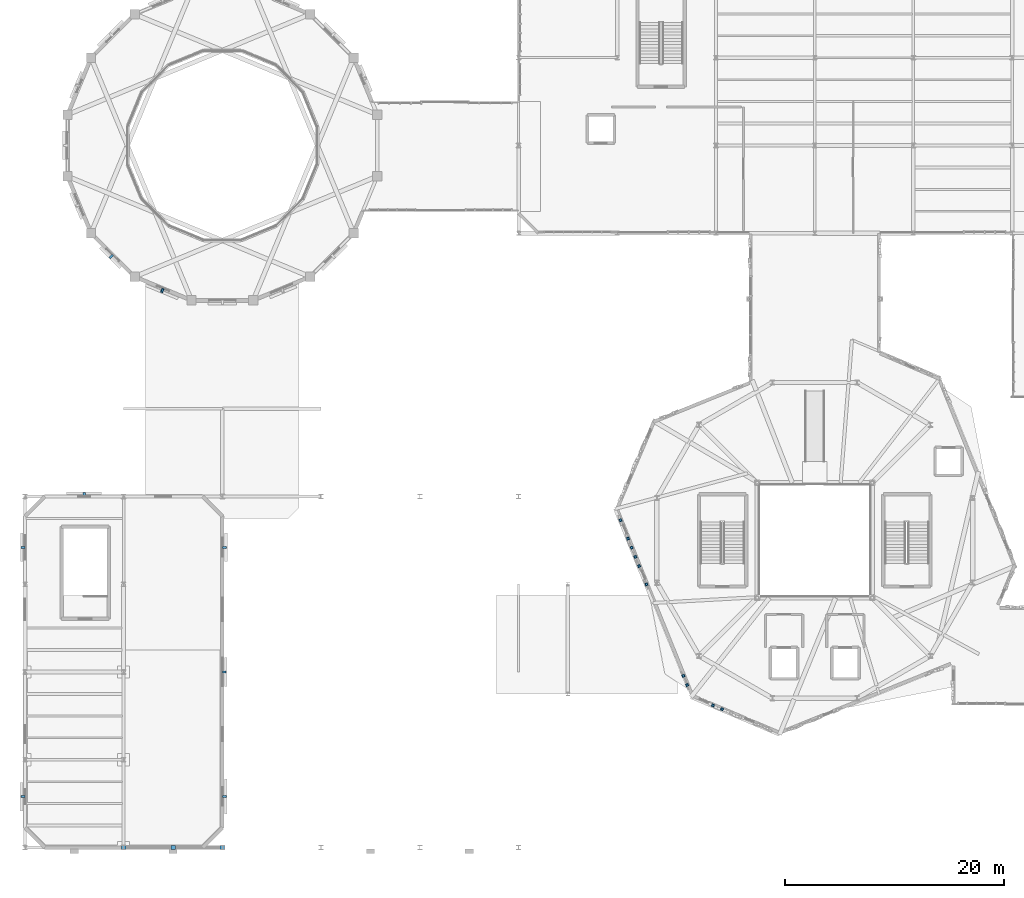
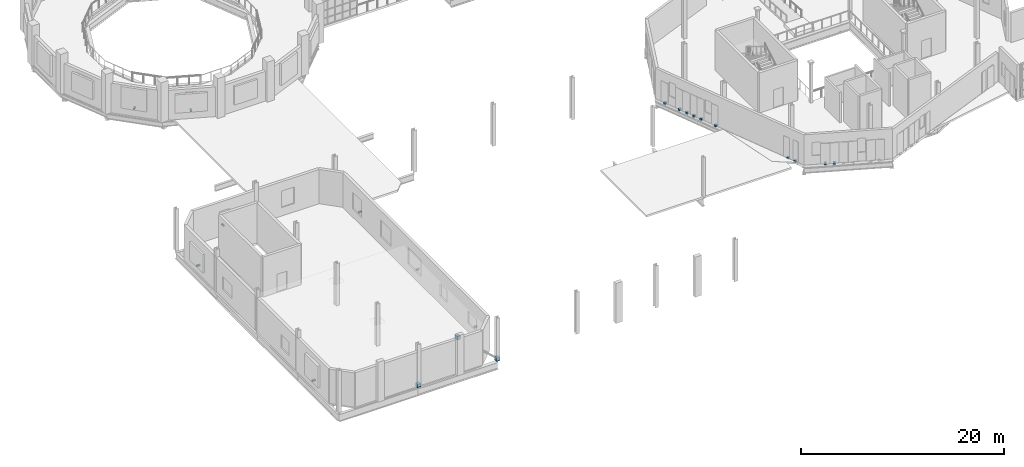
# One storey, part 105 of 122: 21 discrete accessories.
"""IFC4 building model written with IfcOpenShell, lengths in metres."""

from ifc_helpers import new_model, si_unit, direction, frame, origin, place, context, subcontext, project, spatial, polyline, outline, extrude, material, type_object, element, save


model = new_model("IFC4")

# Units and contexts
model_context = context("Model", 3, precision=1e-05, world=origin(), true_north=direction((0.0, 1.0)))
body_context = subcontext(model_context, "Body", "Model", "MODEL_VIEW")
ifc_project = project(units=[si_unit("LENGTHUNIT", "METRE"), si_unit("AREAUNIT", "SQUARE_METRE"), si_unit("VOLUMEUNIT", "CUBIC_METRE"), si_unit("PLANEANGLEUNIT", "RADIAN"), si_unit("MASSUNIT", "GRAM", prefix="KILO"), si_unit("THERMODYNAMICTEMPERATUREUNIT", "KELVIN"), si_unit("POWERUNIT", "WATT")], contexts=[model_context])

# Site, building, storey
site_placement = place(None, origin())
site = spatial("IfcSite", under=ifc_project, at=site_placement, CompositionType="ELEMENT")
building_placement = place(site_placement, origin())
building = spatial("IfcBuilding", under=site, at=building_placement, Name="Zelmaris Science Centre", CompositionType="ELEMENT")
storey_placement = place(building_placement, frame((0.0, 0.0, 10.800048828125)))
storey = spatial("IfcBuildingStorey", under=building, at=storey_placement, Name="L02", CompositionType="ELEMENT", Elevation=10.800048828125)

# Discrete accessories
ifc_material_1 = material(Name="Galvanised steel ASTM A500 Grade B", Category="steel")
discrete_accessory_type_1 = type_object("IfcDiscreteAccessoryType", Name="Facade Bracket BK-01", PredefinedType="BRACKET", material=ifc_material_1)
discrete_accessory_1_placement = place(storey_placement, frame((0.0, 0.0, -0.14013671875)))
element("IfcDiscreteAccessory", 1, at=discrete_accessory_1_placement, inside=storey, type_object=discrete_accessory_type_1, Name="L02 Facade anchorage bracket 70", PredefinedType="BRACKET", context=body_context, shape_type="SweptSolid", body=[
    extrude(outline(polyline([(72.704345703125, 20.6669921875), (72.4833984375, 20.7607421875), (72.392822265625, 20.547607421875), (72.61376953125, 20.453857421875), (72.704345703125, 20.6669921875)])), origin(), (0.0, 0.0, 1.0), 0.239990234375),
])
discrete_accessory_2_placement = place(storey_placement, frame((0.0, 0.0, -0.14013671875)))
element("IfcDiscreteAccessory", 2, at=discrete_accessory_2_placement, inside=storey, type_object=discrete_accessory_type_1, Name="L02 Facade anchorage bracket 71", PredefinedType="BRACKET", context=body_context, shape_type="SweptSolid", body=[
    extrude(outline(polyline([(71.875732421875, 21.0185546875), (71.65478515625, 21.1123046875), (71.564453125, 20.899169921875), (71.785400390625, 20.805419921875), (71.875732421875, 21.0185546875)])), origin(), (0.0, 0.0, 1.0), 0.239990234375),
])
discrete_accessory_3_placement = place(storey_placement, frame((0.0, 0.0, -0.14013671875)))
element("IfcDiscreteAccessory", 3, at=discrete_accessory_3_placement, inside=storey, type_object=discrete_accessory_type_1, Name="L02 Facade anchorage bracket 72", PredefinedType="BRACKET", context=body_context, shape_type="SweptSolid", body=[
    extrude(outline(polyline([(69.5224609375, 22.7451171875), (69.4326171875, 22.967529296875), (69.2177734375, 22.880859375), (69.3076171875, 22.658203125), (69.5224609375, 22.7451171875)])), origin(), (0.0, 0.0, 1.0), 0.239990234375),
])
discrete_accessory_4_placement = place(storey_placement, frame((0.0, 0.0, -0.14013671875)))
element("IfcDiscreteAccessory", 4, at=discrete_accessory_4_placement, inside=storey, type_object=discrete_accessory_type_1, Name="L02 Facade anchorage bracket 73", PredefinedType="BRACKET", context=body_context, shape_type="SweptSolid", body=[
    extrude(outline(polyline([(69.185302734375, 23.57958984375), (69.095458984375, 23.802001953125), (68.880615234375, 23.71533203125), (68.970703125, 23.492919921875), (69.185302734375, 23.57958984375)])), origin(), (0.0, 0.0, 1.0), 0.239990234375),
])
discrete_accessory_5_placement = place(storey_placement, frame((0.0, 0.0, -0.14013671875)))
element("IfcDiscreteAccessory", 5, at=discrete_accessory_5_placement, inside=storey, type_object=discrete_accessory_type_1, Name="L02 Facade anchorage bracket 74", PredefinedType="BRACKET", context=body_context, shape_type="SweptSolid", body=[
    extrude(outline(polyline([(65.81396484375, 31.92431640625), (65.72412109375, 32.146728515625), (65.50927734375, 32.059814453125), (65.59912109375, 31.83740234375), (65.81396484375, 31.92431640625)])), origin(), (0.0, 0.0, 1.0), 0.239990234375),
])
discrete_accessory_6_placement = place(storey_placement, frame((0.0, 0.0, -0.14013671875)))
element("IfcDiscreteAccessory", 6, at=discrete_accessory_6_placement, inside=storey, type_object=discrete_accessory_type_1, Name="L02 Facade anchorage bracket 75", PredefinedType="BRACKET", context=body_context, shape_type="SweptSolid", body=[
    extrude(outline(polyline([(65.1396484375, 33.593017578125), (65.0498046875, 33.815673828125), (64.8349609375, 33.72900390625), (64.9248046875, 33.50634765625), (65.1396484375, 33.593017578125)])), origin(), (0.0, 0.0, 1.0), 0.239990234375),
])
discrete_accessory_7_placement = place(storey_placement, frame((0.0, 0.0, -0.14013671875)))
element("IfcDiscreteAccessory", 7, at=discrete_accessory_7_placement, inside=storey, type_object=discrete_accessory_type_1, Name="L02 Facade anchorage bracket 76", PredefinedType="BRACKET", context=body_context, shape_type="SweptSolid", body=[
    extrude(outline(polyline([(64.802490234375, 34.427490234375), (64.71240234375, 34.650146484375), (64.497802734375, 34.563232421875), (64.587646484375, 34.3408203125), (64.802490234375, 34.427490234375)])), origin(), (0.0, 0.0, 1.0), 0.239990234375),
])
discrete_accessory_8_placement = place(storey_placement, frame((0.0, 0.0, -0.14013671875)))
element("IfcDiscreteAccessory", 8, at=discrete_accessory_8_placement, inside=storey, type_object=discrete_accessory_type_1, Name="L02 Facade anchorage bracket 77", PredefinedType="BRACKET", context=body_context, shape_type="SweptSolid", body=[
    extrude(outline(polyline([(64.46533203125, 35.261962890625), (64.37548828125, 35.484619140625), (64.16064453125, 35.397705078125), (64.25048828125, 35.17529296875), (64.46533203125, 35.261962890625)])), origin(), (0.0, 0.0, 1.0), 0.239990234375),
])
discrete_accessory_9_placement = place(storey_placement, frame((0.0, 0.0, -0.14013671875)))
element("IfcDiscreteAccessory", 9, at=discrete_accessory_9_placement, inside=storey, type_object=discrete_accessory_type_1, Name="L02 Facade anchorage bracket 78", PredefinedType="BRACKET", context=body_context, shape_type="SweptSolid", body=[
    extrude(outline(polyline([(64.128173828125, 36.096435546875), (64.0380859375, 36.319091796875), (63.823486328125, 36.232421875), (63.913330078125, 36.009765625), (64.128173828125, 36.096435546875)])), origin(), (0.0, 0.0, 1.0), 0.239990234375),
])
discrete_accessory_10_placement = place(storey_placement, frame((0.0, 0.0, -0.14013671875)))
element("IfcDiscreteAccessory", 10, at=discrete_accessory_10_placement, inside=storey, type_object=discrete_accessory_type_1, Name="L02 Facade anchorage bracket 79", PredefinedType="BRACKET", context=body_context, shape_type="SweptSolid", body=[
    extrude(outline(polyline([(63.453857421875, 37.765380859375), (63.364013671875, 37.988037109375), (63.149169921875, 37.901123046875), (63.239013671875, 37.6787109375), (63.453857421875, 37.765380859375)])), origin(), (0.0, 0.0, 1.0), 0.239990234375),
])
discrete_accessory_type_2 = type_object("IfcDiscreteAccessoryType", Name="Facade Bracket BK-02", PredefinedType="BRACKET", material=ifc_material_1)
discrete_accessory_11_placement = place(storey_placement, frame((0.0, 0.0, 0.919921875)))
element("IfcDiscreteAccessory", 11, at=discrete_accessory_11_placement, inside=storey, type_object=discrete_accessory_type_2, Name="L02 Louvre support bracket 26", PredefinedType="BRACKET", context=body_context, shape_type="SweptSolid", body=[
    extrude(outline(polyline([(21.68701171875, 58.9140625), (21.502197265625, 58.990478515625), (21.360595703125, 58.648681640625), (21.54541015625, 58.572265625), (21.68701171875, 58.9140625)])), origin(), (0.0, 0.0, 1.0), 0.179931640625),
])
discrete_accessory_12_placement = place(storey_placement, frame((0.0, 0.0, 0.919921875)))
element("IfcDiscreteAccessory", 12, at=discrete_accessory_12_placement, inside=storey, type_object=discrete_accessory_type_2, Name="L02 Louvre support bracket 27", PredefinedType="BRACKET", context=body_context, shape_type="SweptSolid", body=[
    extrude(outline(polyline([(17.08349609375, 61.943115234375), (16.942138671875, 62.084716796875), (16.67333984375, 61.81591796875), (16.814697265625, 61.67431640625), (17.08349609375, 61.943115234375)])), origin(), (0.0, 0.0, 1.0), 0.179931640625),
])
discrete_accessory_13_placement = place(storey_placement, frame((0.0, 0.0, 0.919921875)))
element("IfcDiscreteAccessory", 13, at=discrete_accessory_13_placement, inside=storey, type_object=discrete_accessory_type_2, Name="L02 Louvre support bracket 30", PredefinedType="BRACKET", context=body_context, shape_type="SweptSolid", body=[
    extrude(outline(polyline([(9.0, 12.5400390625), (9.0, 12.739990234375), (8.630126953125, 12.739990234375), (8.630126953125, 12.5400390625), (9.0, 12.5400390625)])), origin(), (0.0, 0.0, 1.0), 0.179931640625),
])
discrete_accessory_14_placement = place(storey_placement, frame((0.0, 0.0, 0.919921875)))
element("IfcDiscreteAccessory", 14, at=discrete_accessory_14_placement, inside=storey, type_object=discrete_accessory_type_2, Name="L02 Louvre support bracket 31", PredefinedType="BRACKET", context=body_context, shape_type="SweptSolid", body=[
    extrude(outline(polyline([(9.0, 35.260009765625), (9.0, 35.4599609375), (8.650146484375, 35.4599609375), (8.650146484375, 35.260009765625), (9.0, 35.260009765625)])), origin(), (0.0, 0.0, 1.0), 0.179931640625),
])
discrete_accessory_15_placement = place(storey_placement, frame((0.0, 0.0, 0.919921875)))
element("IfcDiscreteAccessory", 15, at=discrete_accessory_15_placement, inside=storey, type_object=discrete_accessory_type_2, Name="L02 Louvre support bracket 32", PredefinedType="BRACKET", context=body_context, shape_type="SweptSolid", body=[
    extrude(outline(polyline([(14.300048828125, 40.0), (14.5, 40.0), (14.5, 40.35986328125), (14.300048828125, 40.35986328125), (14.300048828125, 40.0)])), origin(), (0.0, 0.0, 1.0), 0.179931640625),
])
discrete_accessory_16_placement = place(storey_placement, frame((0.0, 0.0, 0.919921875)))
element("IfcDiscreteAccessory", 16, at=discrete_accessory_16_placement, inside=storey, type_object=discrete_accessory_type_2, Name="L02 Louvre support bracket 33", PredefinedType="BRACKET", context=body_context, shape_type="SweptSolid", body=[
    extrude(outline(polyline([(27.0, 35.4599609375), (27.0, 35.260009765625), (27.369873046875, 35.260009765625), (27.369873046875, 35.4599609375), (27.0, 35.4599609375)])), origin(), (0.0, 0.0, 1.0), 0.179931640625),
])
discrete_accessory_17_placement = place(storey_placement, frame((0.0, 0.0, 0.919921875)))
element("IfcDiscreteAccessory", 17, at=discrete_accessory_17_placement, inside=storey, type_object=discrete_accessory_type_2, Name="L02 Louvre support bracket 34", PredefinedType="BRACKET", context=body_context, shape_type="SweptSolid", body=[
    extrude(outline(polyline([(27.0, 24.10009765625), (27.0, 23.89990234375), (27.349853515625, 23.89990234375), (27.349853515625, 24.10009765625), (27.0, 24.10009765625)])), origin(), (0.0, 0.0, 1.0), 0.179931640625),
])
discrete_accessory_18_placement = place(storey_placement, frame((0.0, 0.0, 0.919921875)))
element("IfcDiscreteAccessory", 18, at=discrete_accessory_18_placement, inside=storey, type_object=discrete_accessory_type_2, Name="L02 Louvre support bracket 35", PredefinedType="BRACKET", context=body_context, shape_type="SweptSolid", body=[
    extrude(outline(polyline([(27.0, 12.739990234375), (27.0, 12.5400390625), (27.35986328125, 12.5400390625), (27.35986328125, 12.739990234375), (27.0, 12.739990234375)])), origin(), (0.0, 0.0, 1.0), 0.179931640625),
])
ifc_material_2 = material(Name="Steel ASTM A500 Grade C", Category="steel")
discrete_accessory_type_3 = type_object("IfcDiscreteAccessoryType", Name="Hollow Section End Cap Plate BK-ECP", PredefinedType="BRACKET", material=ifc_material_2)
discrete_accessory_19_placement = place(storey_placement, frame((0.0, 0.0, -0.123779296875)))
element("IfcDiscreteAccessory", 19, at=discrete_accessory_19_placement, inside=storey, type_object=discrete_accessory_type_3, Name="End cap plate 560", PredefinedType="BRACKET", context=body_context, shape_type="SweptSolid", body=[
    extrude(outline(polyline([(17.7958984375, 7.80029296875), (18.1953125, 7.80029296875), (18.1953125, 8.19970703125), (17.7958984375, 8.19970703125), (17.7958984375, 7.80029296875)])), origin(), (0.0, 0.0, 1.0), 0.3994140625),
])
discrete_accessory_20_placement = place(storey_placement, frame((0.0, 0.0, 4.0244140625)))
element("IfcDiscreteAccessory", 20, at=discrete_accessory_20_placement, inside=storey, type_object=discrete_accessory_type_3, Name="End cap plate 561", PredefinedType="BRACKET", context=body_context, shape_type="SweptSolid", body=[
    extrude(outline(polyline([(22.3046875, 7.80029296875), (22.7041015625, 7.80029296875), (22.7041015625, 8.19970703125), (22.3046875, 8.19970703125), (22.3046875, 7.80029296875)])), origin(), (0.0, 0.0, 1.0), 0.3994140625),
])
discrete_accessory_21_placement = place(storey_placement, frame((0.0, 0.0, -0.123779296875)))
element("IfcDiscreteAccessory", 21, at=discrete_accessory_21_placement, inside=storey, type_object=discrete_accessory_type_3, Name="End cap plate 562", PredefinedType="BRACKET", context=body_context, shape_type="SweptSolid", body=[
    extrude(outline(polyline([(26.8046875, 7.80029296875), (27.2041015625, 7.80029296875), (27.2041015625, 8.19970703125), (26.8046875, 8.19970703125), (26.8046875, 7.80029296875)])), origin(), (0.0, 0.0, 1.0), 0.3994140625),
])

save(model, "model.ifc")
